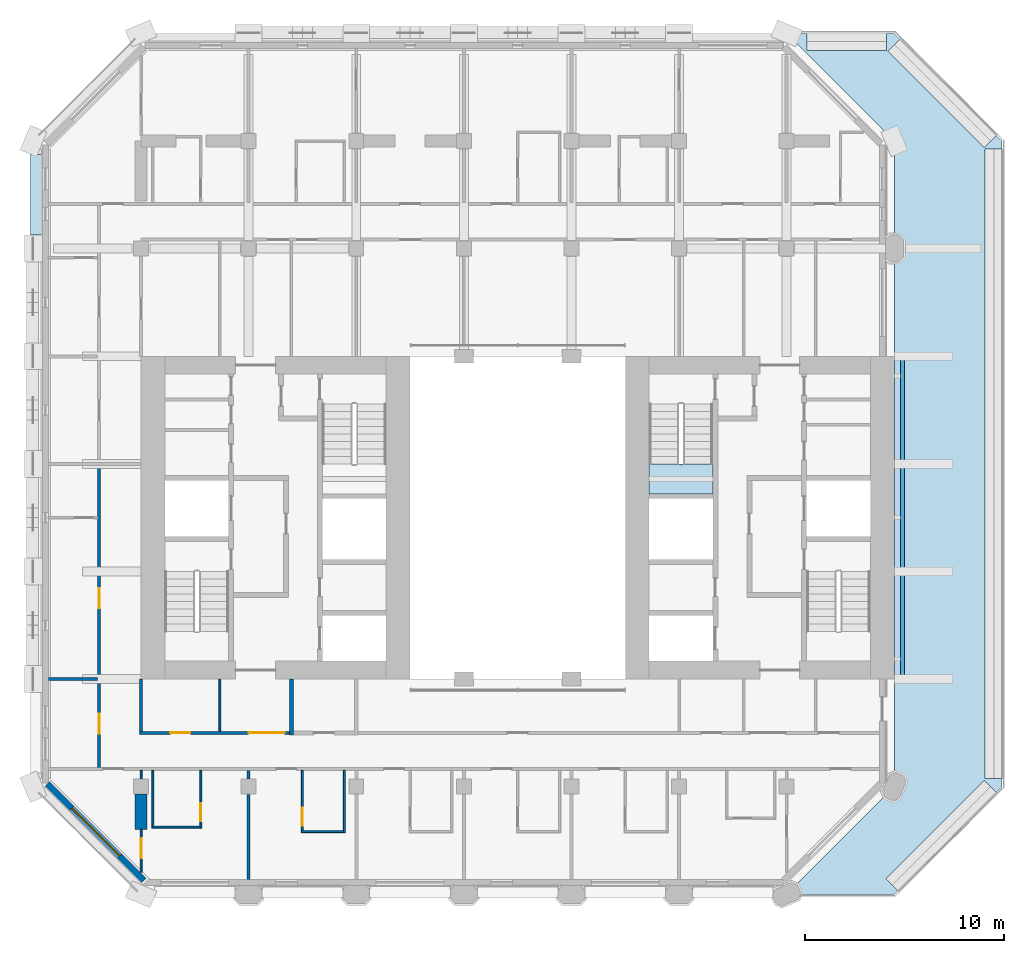
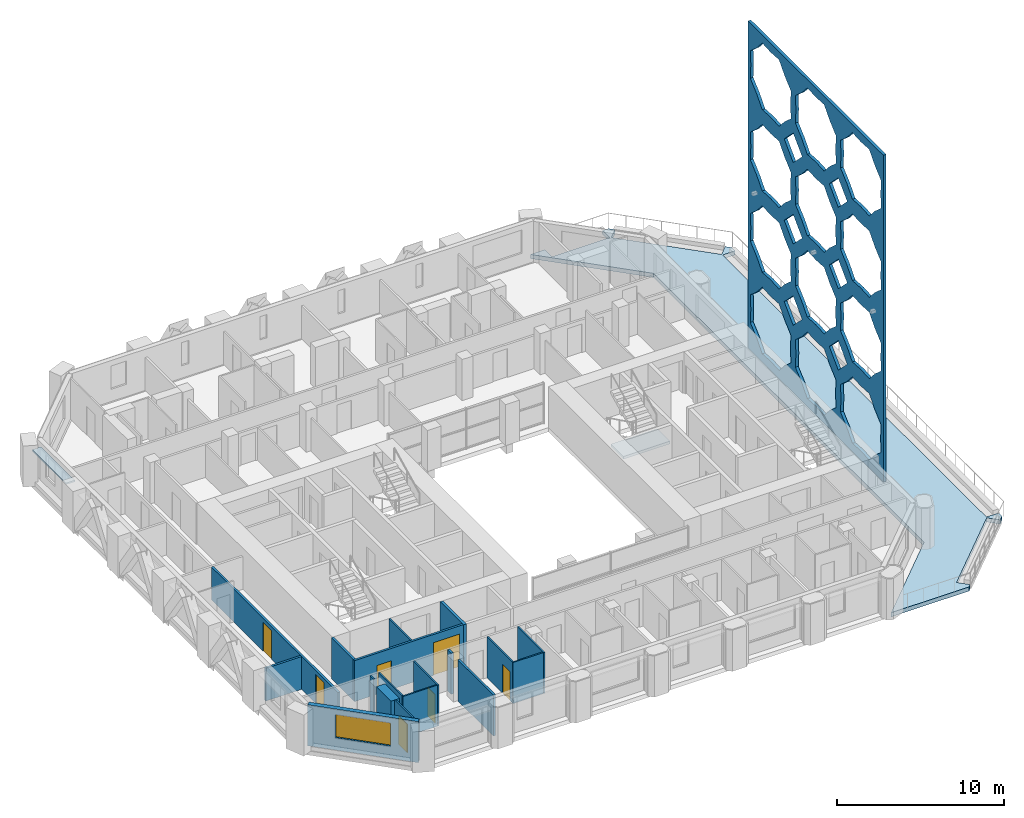
# One storey, part 6 of 15: 18 walls, 7 doors, 2 plates, 2 slabs, 1 window, 8 openings, 1 element without a shape of its own.
"""IFC4 building model written with IfcOpenShell, lengths in metres."""

from ifc_helpers import new_model, si_unit, direction, frame, frame_2d, origin, origin_2d, place, context, subcontext, project, spatial, polyline, rectangle, outline, extrude, material, layer, layer_set, type_object, element, fill, aggregate, save


model = new_model("IFC4")

# Units and contexts
model_context = context("Model", 3, precision=1e-05, world=origin(), true_north=direction((0.0, 1.0)))
body_context = subcontext(model_context, "Body", "Model", "MODEL_VIEW")
ifc_project = project(units=[si_unit("LENGTHUNIT", "METRE"), si_unit("AREAUNIT", "SQUARE_METRE"), si_unit("VOLUMEUNIT", "CUBIC_METRE"), si_unit("PLANEANGLEUNIT", "RADIAN"), si_unit("MASSUNIT", "GRAM", prefix="KILO")], contexts=[model_context])

# Site, building, storey
site_placement = place(None, origin())
site = spatial("IfcSite", under=ifc_project, at=site_placement, CompositionType="ELEMENT")
building_placement = place(site_placement, origin())
building = spatial("IfcBuilding", under=site, at=building_placement, Name="Tabaq Tower and Sports Hall", CompositionType="ELEMENT")
storey_placement = place(building_placement, frame((0.0, 0.0, 207.10009765625)))
storey = spatial("IfcBuildingStorey", under=building, at=storey_placement, Name="L51", CompositionType="ELEMENT", Elevation=207.10009765625)

# Stair, slab
ifc_material_1 = material(Name="Concrete C40/50", Category="concrete")
stair_type = type_object("IfcStairType", Name="Exit stair", PredefinedType="HALF_TURN_STAIR", material=ifc_material_1)
stair_placement = place(storey_placement, origin())
stair = element("IfcStair", 1, at=stair_placement, inside=storey, type_object=stair_type, Name="L51 Exit stair ST4", PredefinedType="HALF_TURN_STAIR")
ifc_material_2 = material(Name="Concrete C40/50", Category="concrete")
ifc_layer_1 = layer(ifc_material_2, 0.199951171875)
ifc_layer_set_1 = layer_set([ifc_layer_1], Name="Exit stair landing")
slab_type_1 = type_object("IfcSlabType", Name="Exit stair landing", PredefinedType="LANDING", material=ifc_layer_set_1)
slab_1_placement = place(storey_placement, frame((0.0, 0.0, 1.449951171875)))
slab_1 = element("IfcSlab", 2, at=slab_1_placement, type_object=slab_type_1, Name="ST4 landing 1", PredefinedType="LANDING", context=body_context, shape_type="SweptSolid", body=[
    extrude(outline(polyline([(30.89990234375, 27.0), (30.89990234375, 25.5), (34.10009765625, 25.5), (34.10009765625, 27.0), (30.89990234375, 27.0)])), origin(), (0.0, 0.0, 1.0), 0.199951171875),
])
aggregate(stair, [slab_1])

# Slab
ifc_material_3 = material(Name="Concrete C40/50", Category="concrete")
ifc_layer_2 = layer(ifc_material_3, 0.300048828125)
ifc_layer_set_2 = layer_set([ifc_layer_2], Name="PT TERRACE SLAB 300 C40/50")
slab_type_2 = type_object("IfcSlabType", Name="PT TERRACE SLAB 300 C40/50", PredefinedType="FLOOR", material=ifc_layer_set_2)
slab_2_placement = place(storey_placement, frame((0.0, 0.0, -0.300048828125)))
element("IfcSlab", 3, at=slab_2_placement, inside=storey, type_object=slab_type_2, Name="Terrace Slab L51", PredefinedType="FLOOR", context=body_context, shape_type="SweptSolid", body=[
    extrude(outline(polyline([(48.60009765625, 42.7978515625), (48.60009765625, 43.199951171875), (48.315673828125, 43.484375), (47.785400390625, 42.9541015625), (47.714599609375, 42.88330078125), (42.88330078125, 47.714599609375), (42.9541015625, 47.785400390625), (43.484375, 48.315673828125), (43.199951171875, 48.60009765625), (42.7978515625, 48.60009765625), (42.7978515625, 47.85009765625), (42.7978515625, 47.75), (38.81201171875, 47.75), (38.81201171875, 47.85009765625), (38.81201171875, 48.60009765625), (37.800048828125, 48.60009765625), (43.199951171875, 43.199951171875), (43.199951171875, 10.800048828125), (37.800048828125, 5.39990234375), (43.199951171875, 5.39990234375), (43.376708984375, 5.57666015625), (42.775634765625, 6.177734375), (47.714599609375, 11.11669921875), (47.785400390625, 11.0458984375), (47.785400390625, 11.0458984375), (48.315673828125, 10.515625), (48.60009765625, 10.800048828125), (48.60009765625, 11.2021484375), (47.85009765625, 11.2021484375), (47.75, 11.2021484375), (47.75, 42.7978515625), (47.85009765625, 42.7978515625), (48.60009765625, 42.7978515625)])), origin(), (0.0, 0.0, 1.0), 0.300048828125),
])

# Plates
ifc_material_4 = material(Name="White precast concrete C60/75 pierced screen", Category="concrete")
ifc_layer_3 = layer(ifc_material_4, 0.199951171875)
ifc_layer_set_3 = layer_set([ifc_layer_3], Name="White precast concrete C60/75 girih screen 200")
plate_type_1 = type_object("IfcPlateType", Name="White precast concrete C60/75 girih screen 200", PredefinedType="USERDEFINED", material=ifc_layer_set_3)
plate_1_placement = place(storey_placement, frame((43.60009765625, 16.199951171875, 1.0), z_axis=(0.0, 0.0, 1.0), x_axis=(0.0, 1.0, 0.0)))
element("IfcPlate", 4, at=plate_1_placement, inside=storey, type_object=plate_type_1, Name="Girih screen H3 E", ObjectType="SCREEN", PredefinedType="USERDEFINED", context=body_context, shape_type="SweptSolid", body=[
    extrude(outline(polyline([(0.0, 0.0), (16.199951171875, 0.0), (16.199951171875, 23.89990234375), (0.0, 23.89990234375), (0.0, 0.0)]), holes=[polyline([(5.134521484375, 4.033447265625), (4.376953125, 4.701904296875), (3.70849609375, 5.45947265625), (2.699951171875, 5.396484375), (1.691650390625, 5.45947265625), (1.02294921875, 4.701904296875), (0.265380859375, 4.033447265625), (0.328369140625, 3.02490234375), (0.265380859375, 2.016357421875), (1.02294921875, 1.347900390625), (1.691650390625, 0.59033203125), (2.699951171875, 0.6533203125), (3.70849609375, 0.59033203125), (4.376953125, 1.347900390625), (5.134521484375, 2.016357421875), (5.07177734375, 3.02490234375), (5.134521484375, 4.033447265625)]), polyline([(5.134521484375, 9.9833984375), (4.376953125, 10.65185546875), (3.70849609375, 11.409423828125), (2.699951171875, 11.3466796875), (1.691650390625, 11.409423828125), (1.02294921875, 10.65185546875), (0.265380859375, 9.9833984375), (0.328369140625, 8.974853515625), (0.265380859375, 7.966552734375), (1.02294921875, 7.2978515625), (1.691650390625, 6.540283203125), (2.699951171875, 6.603271484375), (3.70849609375, 6.540283203125), (4.376953125, 7.2978515625), (5.134521484375, 7.966552734375), (5.07177734375, 8.974853515625), (5.134521484375, 9.9833984375)]), polyline([(5.134521484375, 15.933349609375), (4.376953125, 16.60205078125), (3.70849609375, 17.359619140625), (2.699951171875, 17.296630859375), (1.691650390625, 17.359619140625), (1.02294921875, 16.60205078125), (0.265380859375, 15.933349609375), (0.328369140625, 14.9248046875), (0.265380859375, 13.91650390625), (1.02294921875, 13.247802734375), (1.691650390625, 12.490234375), (2.699951171875, 12.55322265625), (3.70849609375, 12.490234375), (4.376953125, 13.247802734375), (5.134521484375, 13.91650390625), (5.07177734375, 14.9248046875), (5.134521484375, 15.933349609375)]), polyline([(5.134521484375, 21.88330078125), (4.376953125, 22.552001953125), (3.70849609375, 23.3095703125), (2.699951171875, 23.24658203125), (1.691650390625, 23.3095703125), (1.02294921875, 22.552001953125), (0.265380859375, 21.88330078125), (0.328369140625, 20.875), (0.265380859375, 19.866455078125), (1.02294921875, 19.19775390625), (1.691650390625, 18.440185546875), (2.699951171875, 18.503173828125), (3.70849609375, 18.440185546875), (4.376953125, 19.19775390625), (5.134521484375, 19.866455078125), (5.07177734375, 20.875), (5.134521484375, 21.88330078125)]), polyline([(10.53466796875, 4.033447265625), (9.777099609375, 4.701904296875), (9.1083984375, 5.45947265625), (8.10009765625, 5.396484375), (7.091552734375, 5.45947265625), (6.4228515625, 4.701904296875), (5.665283203125, 4.033447265625), (5.728271484375, 3.02490234375), (5.665283203125, 2.016357421875), (6.4228515625, 1.347900390625), (7.091552734375, 0.59033203125), (8.10009765625, 0.6533203125), (9.1083984375, 0.59033203125), (9.777099609375, 1.347900390625), (10.53466796875, 2.016357421875), (10.4716796875, 3.02490234375), (10.53466796875, 4.033447265625)]), polyline([(10.53466796875, 9.9833984375), (9.777099609375, 10.65185546875), (9.1083984375, 11.409423828125), (8.10009765625, 11.3466796875), (7.091552734375, 11.409423828125), (6.4228515625, 10.65185546875), (5.665283203125, 9.9833984375), (5.728271484375, 8.974853515625), (5.665283203125, 7.966552734375), (6.4228515625, 7.2978515625), (7.091552734375, 6.540283203125), (8.10009765625, 6.603271484375), (9.1083984375, 6.540283203125), (9.777099609375, 7.2978515625), (10.53466796875, 7.966552734375), (10.4716796875, 8.974853515625), (10.53466796875, 9.9833984375)]), polyline([(10.53466796875, 15.933349609375), (9.777099609375, 16.60205078125), (9.1083984375, 17.359619140625), (8.10009765625, 17.296630859375), (7.091552734375, 17.359619140625), (6.4228515625, 16.60205078125), (5.665283203125, 15.933349609375), (5.728271484375, 14.9248046875), (5.665283203125, 13.91650390625), (6.4228515625, 13.247802734375), (7.091552734375, 12.490234375), (8.10009765625, 12.55322265625), (9.1083984375, 12.490234375), (9.777099609375, 13.247802734375), (10.53466796875, 13.91650390625), (10.4716796875, 14.9248046875), (10.53466796875, 15.933349609375)]), polyline([(10.53466796875, 21.88330078125), (9.777099609375, 22.552001953125), (9.1083984375, 23.3095703125), (8.10009765625, 23.24658203125), (7.091552734375, 23.3095703125), (6.4228515625, 22.552001953125), (5.665283203125, 21.88330078125), (5.728271484375, 20.875), (5.665283203125, 19.866455078125), (6.4228515625, 19.19775390625), (7.091552734375, 18.440185546875), (8.10009765625, 18.503173828125), (9.1083984375, 18.440185546875), (9.777099609375, 19.19775390625), (10.53466796875, 19.866455078125), (10.4716796875, 20.875), (10.53466796875, 21.88330078125)]), polyline([(15.9345703125, 4.033447265625), (15.177001953125, 4.701904296875), (14.508544921875, 5.45947265625), (13.5, 5.396484375), (12.491455078125, 5.45947265625), (11.822998046875, 4.701904296875), (11.0654296875, 4.033447265625), (11.12841796875, 3.02490234375), (11.0654296875, 2.016357421875), (11.822998046875, 1.347900390625), (12.491455078125, 0.59033203125), (13.5, 0.6533203125), (14.508544921875, 0.59033203125), (15.177001953125, 1.347900390625), (15.9345703125, 2.016357421875), (15.87158203125, 3.02490234375), (15.9345703125, 4.033447265625)]), polyline([(15.9345703125, 9.9833984375), (15.177001953125, 10.65185546875), (14.508544921875, 11.409423828125), (13.5, 11.3466796875), (12.491455078125, 11.409423828125), (11.822998046875, 10.65185546875), (11.0654296875, 9.9833984375), (11.12841796875, 8.974853515625), (11.0654296875, 7.966552734375), (11.822998046875, 7.2978515625), (12.491455078125, 6.540283203125), (13.5, 6.603271484375), (14.508544921875, 6.540283203125), (15.177001953125, 7.2978515625), (15.9345703125, 7.966552734375), (15.87158203125, 8.974853515625), (15.9345703125, 9.9833984375)]), polyline([(15.9345703125, 15.933349609375), (15.177001953125, 16.60205078125), (14.508544921875, 17.359619140625), (13.5, 17.296630859375), (12.491455078125, 17.359619140625), (11.822998046875, 16.60205078125), (11.0654296875, 15.933349609375), (11.12841796875, 14.9248046875), (11.0654296875, 13.91650390625), (11.822998046875, 13.247802734375), (12.491455078125, 12.490234375), (13.5, 12.55322265625), (14.508544921875, 12.490234375), (15.177001953125, 13.247802734375), (15.9345703125, 13.91650390625), (15.87158203125, 14.9248046875), (15.9345703125, 15.933349609375)]), polyline([(15.9345703125, 21.88330078125), (15.177001953125, 22.552001953125), (14.508544921875, 23.3095703125), (13.5, 23.24658203125), (12.491455078125, 23.3095703125), (11.822998046875, 22.552001953125), (11.0654296875, 21.88330078125), (11.12841796875, 20.875), (11.0654296875, 19.866455078125), (11.822998046875, 19.19775390625), (12.491455078125, 18.440185546875), (13.5, 18.503173828125), (14.508544921875, 18.440185546875), (15.177001953125, 19.19775390625), (15.9345703125, 19.866455078125), (15.87158203125, 20.875), (15.9345703125, 21.88330078125)]), polyline([(6.47998046875, 6.0), (5.39990234375, 7.079833984375), (4.320068359375, 6.0), (5.39990234375, 4.919921875), (6.47998046875, 6.0)]), polyline([(6.47998046875, 11.949951171875), (5.39990234375, 13.02978515625), (4.320068359375, 11.949951171875), (5.39990234375, 10.869873046875), (6.47998046875, 11.949951171875)]), polyline([(6.47998046875, 17.89990234375), (5.39990234375, 18.97998046875), (4.320068359375, 17.89990234375), (5.39990234375, 16.81982421875), (6.47998046875, 17.89990234375)]), polyline([(11.8798828125, 6.0), (10.800048828125, 7.079833984375), (9.719970703125, 6.0), (10.800048828125, 4.919921875), (11.8798828125, 6.0)]), polyline([(11.8798828125, 11.949951171875), (10.800048828125, 13.02978515625), (9.719970703125, 11.949951171875), (10.800048828125, 10.869873046875), (11.8798828125, 11.949951171875)]), polyline([(11.8798828125, 17.89990234375), (10.800048828125, 18.97998046875), (9.719970703125, 17.89990234375), (10.800048828125, 16.81982421875), (11.8798828125, 17.89990234375)])]), frame((0.0, 0.10009765625, 0.0), z_axis=(0.0, -1.0, 0.0), x_axis=(1.0, 0.0, 0.0)), (0.0, 0.0, 1.0), 0.199951171875),
])
ifc_material_5 = material(Name="White precast concrete C60/75 blade", Category="concrete")
ifc_layer_4 = layer(ifc_material_5, 0.10009765625)
ifc_layer_set_4 = layer_set([ifc_layer_4], Name="White precast concrete C60/75 sunshade 100")
plate_type_2 = type_object("IfcPlateType", Name="White precast concrete C60/75 sunshade 100", PredefinedType="USERDEFINED", material=ifc_layer_set_4)
plate_2_placement = place(storey_placement, frame((0.14990234375, 40.5, 2.599853515625), z_axis=(0.0, 0.0, 1.0), x_axis=(0.0, -1.0, 0.0)))
element("IfcPlate", 5, at=plate_2_placement, inside=storey, type_object=plate_type_2, Name="Sunshade L51 W", ObjectType="SUNSHADE", PredefinedType="USERDEFINED", context=body_context, shape_type="SweptSolid", body=[
    extrude(rectangle(XDim=4.050048828125, YDim=0.60009765625, at=origin_2d()), origin(), (0.0, 0.0, 1.0), 0.10009765625),
])

# Walls
ifc_material_6 = material(Name="Blockwork", Category="masonry")
ifc_layer_5 = layer(ifc_material_6, 0.199951171875)
ifc_layer_set_5 = layer_set([ifc_layer_5], Name="Fire compartment wall 200 Blockwork")
wall_type_1 = type_object("IfcWallType", Name="Fire compartment wall 200 Blockwork", PredefinedType="PARTITIONING", material=ifc_layer_set_5)
wall_1_placement = place(storey_placement, frame((12.949951171875, 13.39990234375, 0.0), z_axis=(0.0, 0.0, 1.0), x_axis=(0.0, 1.0, 0.0)))
element("IfcWall", 6, at=wall_1_placement, inside=storey, type_object=wall_type_1, Name="Compartment wall L51", PredefinedType="PARTITIONING", context=body_context, shape_type="SweptSolid", body=[
    extrude(rectangle(XDim=2.800048828125, YDim=0.199951171875, at=frame_2d((1.39990234375, 0.0))), origin(), (0.0, 0.0, 1.0), 3.0),
])
ifc_material_7 = material(Name="Gypsum board on steel studs", Category="steel")
ifc_layer_6 = layer(ifc_material_7, 0.10009765625)
ifc_layer_set_6 = layer_set([ifc_layer_6], Name="Partition 100 Gypsum board")
wall_type_2 = type_object("IfcWallType", Name="Partition 100 Gypsum board", PredefinedType="PARTITIONING", material=ifc_layer_set_6)
wall_2_placement = place(storey_placement, frame((15.60009765625, 11.625, 0.0), z_axis=(0.0, 0.0, 1.0), x_axis=(0.0, -1.0, 0.0)))
element("IfcWall", 7, at=wall_2_placement, inside=storey, type_object=wall_type_2, Name="Partition wall L51", PredefinedType="PARTITIONING", context=body_context, shape_type="SweptSolid", body=[
    extrude(rectangle(XDim=3.125, YDim=0.10009765625, at=frame_2d((1.5625, 0.0))), origin(), (0.0, 0.0, 1.0), 3.0),
])
wall_3_placement = place(storey_placement, frame((15.550048828125, 8.550048828125, 0.0), z_axis=(0.0, 0.0, 1.0), x_axis=(-1.0, 0.0, 0.0)))
element("IfcWall", 8, at=wall_3_placement, inside=storey, type_object=wall_type_2, Name="Partition wall L51", PredefinedType="PARTITIONING", context=body_context, shape_type="SweptSolid", body=[
    extrude(rectangle(XDim=2.10009765625, YDim=0.10009765625, at=frame_2d((1.050048828125, 0.0))), origin(), (0.0, 0.0, 1.0), 3.0),
])

# Wall, opening, door
wall_4_placement = place(storey_placement, frame((13.5, 8.60009765625, 0.0), z_axis=(0.0, 0.0, 1.0), x_axis=(0.0, 1.0, 0.0)))
wall_4 = element("IfcWall", 9, at=wall_4_placement, inside=storey, type_object=wall_type_2, Name="Partition wall L51", PredefinedType="PARTITIONING", context=body_context, shape_type="SweptSolid", body=[
    extrude(rectangle(XDim=3.02490234375, YDim=0.10009765625, at=frame_2d((1.512451171875, 0.0))), origin(), (0.0, 0.0, 1.0), 3.0),
])
opening_1_placement = place(wall_4_placement, frame((0.25, 0.0, 0.0)))
opening_1 = element("IfcOpeningElement", 10, at=opening_1_placement, cuts=wall_4, Name="Opening L51-019", PredefinedType="OPENING", context=body_context, shape_type="SweptSolid", body=[
    extrude(rectangle(XDim=0.89990234375, YDim=2.10009765625, at=frame_2d((0.449951171875, 1.050048828125))), frame((0.0, 0.050048828125, 0.0), z_axis=(0.0, -1.0, 0.0), x_axis=(1.0, 0.0, 0.0)), (0.0, 0.0, 1.0), 0.10009765625),
])
ifc_material_8 = material(Name="Timber leaf in steel frame", Category="steel")
door_type_1 = type_object("IfcDoorType", Name="Internal door 900 right hand", OperationType="SINGLE_SWING_RIGHT", PredefinedType="DOOR", material=ifc_material_8)
door_1_placement = place(opening_1_placement, origin())
door_1 = element("IfcDoor", 11, at=door_1_placement, inside=storey, type_object=door_type_1, Name="Internal door L51-019", OperationType="SINGLE_SWING_RIGHT", OverallHeight=2.10009765625, OverallWidth=0.89990234375, PredefinedType="DOOR", context=body_context, shape_type="SweptSolid", body=[
    extrude(rectangle(XDim=0.89990234375, YDim=2.10009765625, at=frame_2d((0.449951171875, 1.050048828125))), frame((0.0, 0.02490234375, 0.0), z_axis=(0.0, -1.0, 0.0), x_axis=(1.0, 0.0, 0.0)), (0.0, 0.0, 1.0), 0.050048828125),
])
fill(opening_1, door_1)

wall_5_placement = place(storey_placement, frame((8.39990234375, 11.625, 0.0), z_axis=(0.0, 0.0, 1.0), x_axis=(0.0, -1.0, 0.0)))
wall_5 = element("IfcWall", 12, at=wall_5_placement, inside=storey, type_object=wall_type_2, Name="Partition wall L51", PredefinedType="PARTITIONING", context=body_context, shape_type="SweptSolid", body=[
    extrude(rectangle(XDim=2.89990234375, YDim=0.10009765625, at=frame_2d((1.449951171875, 0.0))), origin(), (0.0, 0.0, 1.0), 3.0),
])
opening_2_placement = place(wall_5_placement, frame((1.64990234375, 0.0, 0.0)))
opening_2 = element("IfcOpeningElement", 13, at=opening_2_placement, cuts=wall_5, Name="Opening L51-020", PredefinedType="OPENING", context=body_context, shape_type="SweptSolid", body=[
    extrude(rectangle(XDim=0.89990234375, YDim=2.10009765625, at=frame_2d((0.449951171875, 1.050048828125))), frame((0.0, 0.050048828125, 0.0), z_axis=(0.0, -1.0, 0.0), x_axis=(1.0, 0.0, 0.0)), (0.0, 0.0, 1.0), 0.10009765625),
])
door_2_placement = place(opening_2_placement, origin())
door_2 = element("IfcDoor", 14, at=door_2_placement, inside=storey, type_object=door_type_1, Name="Internal door L51-020", OperationType="SINGLE_SWING_RIGHT", OverallHeight=2.10009765625, OverallWidth=0.89990234375, PredefinedType="DOOR", context=body_context, shape_type="SweptSolid", body=[
    extrude(rectangle(XDim=0.89990234375, YDim=2.10009765625, at=frame_2d((0.449951171875, 1.050048828125))), frame((0.0, 0.02490234375, 0.0), z_axis=(0.0, -1.0, 0.0), x_axis=(1.0, 0.0, 0.0)), (0.0, 0.0, 1.0), 0.050048828125),
])
fill(opening_2, door_2)

# Walls
wall_6_placement = place(storey_placement, frame((8.35009765625, 8.77490234375, 0.0), z_axis=(0.0, 0.0, 1.0), x_axis=(-1.0, 0.0, 0.0)))
element("IfcWall", 15, at=wall_6_placement, inside=storey, type_object=wall_type_2, Name="Partition wall L51", PredefinedType="PARTITIONING", context=body_context, shape_type="SweptSolid", body=[
    extrude(rectangle(XDim=2.400146484375, YDim=0.10009765625, at=frame_2d((1.2001953125, 0.0))), origin(), (0.0, 0.0, 1.0), 3.0),
])
wall_7_placement = place(storey_placement, frame((6.0, 8.824951171875, 0.0), z_axis=(0.0, 0.0, 1.0), x_axis=(0.0, 1.0, 0.0)))
element("IfcWall", 16, at=wall_7_placement, inside=storey, type_object=wall_type_2, Name="Partition wall L51", PredefinedType="PARTITIONING", context=body_context, shape_type="SweptSolid", body=[
    extrude(rectangle(XDim=2.800048828125, YDim=0.10009765625, at=frame_2d((1.39990234375, 0.0))), origin(), (0.0, 0.0, 1.0), 3.0),
])
wall_8_placement = place(storey_placement, frame((5.39990234375, 11.625, 0.0), z_axis=(0.0, 0.0, 1.0), x_axis=(0.0, -1.0, 0.0)))
element("IfcWall", 17, at=wall_8_placement, inside=storey, type_object=wall_type_2, Name="Partition wall L51", PredefinedType="PARTITIONING", context=body_context, shape_type="SweptSolid", body=[
    extrude(rectangle(XDim=0.429931640625, YDim=0.10009765625, at=frame_2d((0.21484375, 0.0))), origin(), (0.0, 0.0, 1.0), 3.0),
])

# Wall, opening, door
wall_9_placement = place(storey_placement, frame((5.39990234375, 8.66259765625, 0.0), z_axis=(0.0, 0.0, 1.0), x_axis=(0.0, -1.0, 0.0)))
wall_9 = element("IfcWall", 18, at=wall_9_placement, inside=storey, type_object=wall_type_2, Name="Partition wall L51", PredefinedType="PARTITIONING", context=body_context, shape_type="SweptSolid", body=[
    extrude(rectangle(XDim=2.150390625, YDim=0.10009765625, at=frame_2d((1.0751953125, 0.0))), origin(), (0.0, 0.0, 1.0), 3.0),
])
opening_3_placement = place(wall_9_placement, frame((0.446533203125, 0.0, 0.0)))
opening_3 = element("IfcOpeningElement", 19, at=opening_3_placement, cuts=wall_9, Name="Opening L51-042", PredefinedType="OPENING", context=body_context, shape_type="SweptSolid", body=[
    extrude(rectangle(XDim=1.0, YDim=2.10009765625, at=frame_2d((0.5, 1.050048828125))), frame((0.0, 0.050048828125, 0.0), z_axis=(0.0, -1.0, 0.0), x_axis=(1.0, 0.0, 0.0)), (0.0, 0.0, 1.0), 0.10009765625),
])
ifc_material_9 = material(Name="Timber leaf in steel frame", Category="steel")
door_type_2 = type_object("IfcDoorType", Name="Internal door 1000 right hand", OperationType="SINGLE_SWING_RIGHT", PredefinedType="DOOR", material=ifc_material_9)
door_3_placement = place(opening_3_placement, origin())
door_3 = element("IfcDoor", 20, at=door_3_placement, inside=storey, type_object=door_type_2, Name="Internal door L51-042", OperationType="SINGLE_SWING_RIGHT", OverallHeight=2.10009765625, OverallWidth=1.0, PredefinedType="DOOR", context=body_context, shape_type="SweptSolid", body=[
    extrude(rectangle(XDim=1.0, YDim=2.10009765625, at=frame_2d((0.5, 1.050048828125))), frame((0.0, 0.02490234375, 0.0), z_axis=(0.0, -1.0, 0.0), x_axis=(1.0, 0.0, 0.0)), (0.0, 0.0, 1.0), 0.050048828125),
])
fill(opening_3, door_3)

# Walls
wall_10_placement = place(storey_placement, frame((9.35009765625, 16.199951171875, 0.0), z_axis=(0.0, 0.0, 1.0), x_axis=(0.0, -1.0, 0.0)))
element("IfcWall", 21, at=wall_10_placement, inside=storey, type_object=wall_type_2, Name="Partition wall L51", PredefinedType="PARTITIONING", context=body_context, shape_type="SweptSolid", body=[
    extrude(rectangle(XDim=2.625, YDim=0.10009765625, at=frame_2d((1.3125, 0.0))), origin(), (0.0, 0.0, 1.0), 3.0),
])
ifc_material_10 = material(Name="Concrete C50/60", Category="concrete")
ifc_layer_7 = layer(ifc_material_10, 0.60009765625)
ifc_layer_set_7 = layer_set([ifc_layer_7], Name="RC TRANSFER WALL 600 C50/60")
wall_type_3 = type_object("IfcWallType", Name="RC TRANSFER WALL 600 C50/60", PredefinedType="SHEAR", material=ifc_layer_set_7)
wall_11_placement = place(storey_placement, frame((5.39990234375, 8.66259765625, 0.0), z_axis=(0.0, 0.0, 1.0), x_axis=(0.0, 1.0, 0.0)))
element("IfcWall", 22, at=wall_11_placement, inside=storey, type_object=wall_type_3, Name="Transfer Wall L51 West 2", PredefinedType="SHEAR", context=body_context, shape_type="SweptSolid", body=[
    extrude(rectangle(XDim=1.762451171875, YDim=0.60009765625, at=frame_2d((0.88134765625, 0.0))), origin(), (0.0, 0.0, 1.0), 3.0),
])
ifc_material_11 = material(Name="Blockwork", Category="masonry")
ifc_layer_8 = layer(ifc_material_11, 0.14990234375)
ifc_layer_set_8 = layer_set([ifc_layer_8], Name="Separating wall 150 Blockwork")
wall_type_4 = type_object("IfcWallType", Name="Separating wall 150 Blockwork", PredefinedType="PARTITIONING", material=ifc_layer_set_8)
wall_12_placement = place(storey_placement, frame((3.22509765625, 16.199951171875, 0.0), z_axis=(0.0, 0.0, 1.0), x_axis=(-1.0, 0.0, 0.0)))
element("IfcWall", 23, at=wall_12_placement, inside=storey, type_object=wall_type_4, Name="Separating wall L51", PredefinedType="PARTITIONING", context=body_context, shape_type="SweptSolid", body=[
    extrude(rectangle(XDim=2.47412109375, YDim=0.14990234375, at=frame_2d((1.237060546875, 0.0))), origin(), (0.0, 0.0, 1.0), 2.39990234375),
])
wall_13_placement = place(storey_placement, frame((10.800048828125, 11.625, 0.0), z_axis=(0.0, 0.0, 1.0), x_axis=(0.0, -1.0, 0.0)))
element("IfcWall", 24, at=wall_13_placement, inside=storey, type_object=wall_type_4, Name="Separating wall L51", PredefinedType="PARTITIONING", context=body_context, shape_type="SweptSolid", body=[
    extrude(rectangle(XDim=0.429931640625, YDim=0.14990234375, at=frame_2d((0.21484375, 0.0))), origin(), (0.0, 0.0, 1.0), 3.0),
])
wall_14_placement = place(storey_placement, frame((10.800048828125, 10.405029296875, 0.0), z_axis=(0.0, 0.0, 1.0), x_axis=(0.0, -1.0, 0.0)))
element("IfcWall", 25, at=wall_14_placement, inside=storey, type_object=wall_type_4, Name="Separating wall L51", PredefinedType="PARTITIONING", context=body_context, shape_type="SweptSolid", body=[
    extrude(rectangle(XDim=4.254150390625, YDim=0.14990234375, at=frame_2d((2.126953125, 0.0))), origin(), (0.0, 0.0, 1.0), 3.0),
])

# Wall, openings, doors
wall_15_placement = place(storey_placement, frame((3.300048828125, 11.77490234375, 0.0), z_axis=(0.0, 0.0, 1.0), x_axis=(0.0, 1.0, 0.0)))
wall_15 = element("IfcWall", 26, at=wall_15_placement, inside=storey, type_object=wall_type_4, Name="Separating wall L51", PredefinedType="PARTITIONING", context=body_context, shape_type="SweptSolid", body=[
    extrude(rectangle(XDim=15.150146484375, YDim=0.14990234375, at=frame_2d((7.5751953125, 0.0))), origin(), (0.0, 0.0, 1.0), 2.39990234375),
])
opening_4_placement = place(wall_15_placement, frame((1.675048828125, 0.0, 0.0)))
opening_4 = element("IfcOpeningElement", 27, at=opening_4_placement, cuts=wall_15, Name="Opening L51-014", PredefinedType="OPENING", context=body_context, shape_type="SweptSolid", body=[
    extrude(rectangle(XDim=1.0, YDim=2.10009765625, at=frame_2d((0.5, 1.050048828125))), frame((0.0, 0.074951171875, 0.0), z_axis=(0.0, -1.0, 0.0), x_axis=(1.0, 0.0, 0.0)), (0.0, 0.0, 1.0), 0.14990234375),
])
opening_5_placement = place(wall_15_placement, frame((7.97509765625, 0.0, 0.0)))
opening_5 = element("IfcOpeningElement", 28, at=opening_5_placement, cuts=wall_15, Name="Opening L51-044", PredefinedType="OPENING", context=body_context, shape_type="SweptSolid", body=[
    extrude(rectangle(XDim=1.0, YDim=2.10009765625, at=frame_2d((0.5, 1.050048828125))), frame((0.0, 0.074951171875, 0.0), z_axis=(0.0, -1.0, 0.0), x_axis=(1.0, 0.0, 0.0)), (0.0, 0.0, 1.0), 0.14990234375),
])
ifc_material_12 = material(Name="Steel fire door", Category="steel")
door_type_3 = type_object("IfcDoorType", Name="Entrance door 1000 left hand", OperationType="SINGLE_SWING_LEFT", PredefinedType="DOOR", material=ifc_material_12)
door_4_placement = place(opening_5_placement, origin())
door_4 = element("IfcDoor", 29, at=door_4_placement, inside=storey, type_object=door_type_3, Name="Entrance door L51-044", OperationType="SINGLE_SWING_LEFT", OverallHeight=2.10009765625, OverallWidth=1.0, PredefinedType="DOOR", context=body_context, shape_type="SweptSolid", body=[
    extrude(rectangle(XDim=1.0, YDim=2.10009765625, at=frame_2d((0.5, 1.050048828125))), frame((0.0, 0.02490234375, 0.0), z_axis=(0.0, -1.0, 0.0), x_axis=(1.0, 0.0, 0.0)), (0.0, 0.0, 1.0), 0.050048828125),
])
fill(opening_5, door_4)
ifc_material_13 = material(Name="Timber leaf in steel frame", Category="steel")
door_type_4 = type_object("IfcDoorType", Name="Internal door 1000 left hand", OperationType="SINGLE_SWING_LEFT", PredefinedType="DOOR", material=ifc_material_13)
door_5_placement = place(opening_4_placement, origin())
door_5 = element("IfcDoor", 30, at=door_5_placement, inside=storey, type_object=door_type_4, Name="Internal door L51-014", OperationType="SINGLE_SWING_LEFT", OverallHeight=2.10009765625, OverallWidth=1.0, PredefinedType="DOOR", context=body_context, shape_type="SweptSolid", body=[
    extrude(rectangle(XDim=1.0, YDim=2.10009765625, at=frame_2d((0.5, 1.050048828125))), frame((0.0, 0.02490234375, 0.0), z_axis=(0.0, -1.0, 0.0), x_axis=(1.0, 0.0, 0.0)), (0.0, 0.0, 1.0), 0.050048828125),
])
fill(opening_4, door_5)

wall_16_placement = place(storey_placement, frame((5.324951171875, 13.5, 0.0), z_axis=(0.0, 0.0, 1.0), x_axis=(1.0, 0.0, 0.0)))
wall_16 = element("IfcWall", 31, at=wall_16_placement, inside=storey, type_object=wall_type_4, Name="Separating wall L51", PredefinedType="PARTITIONING", context=body_context, shape_type="SweptSolid", body=[
    extrude(rectangle(XDim=7.525146484375, YDim=0.14990234375, at=frame_2d((3.7626953125, 0.0))), origin(), (0.0, 0.0, 1.0), 3.0),
])
opening_6_placement = place(wall_16_placement, frame((1.550048828125, 0.0, 0.0)))
opening_6 = element("IfcOpeningElement", 32, at=opening_6_placement, cuts=wall_16, Name="Opening L51-025", PredefinedType="OPENING", context=body_context, shape_type="SweptSolid", body=[
    extrude(rectangle(XDim=1.0, YDim=2.10009765625, at=frame_2d((0.5, 1.050048828125))), frame((0.0, 0.074951171875, 0.0), z_axis=(0.0, -1.0, 0.0), x_axis=(1.0, 0.0, 0.0)), (0.0, 0.0, 1.0), 0.14990234375),
])
opening_7_placement = place(wall_16_placement, frame((5.47509765625, 0.0, 0.0)))
opening_7 = element("IfcOpeningElement", 33, at=opening_7_placement, cuts=wall_16, Name="Opening L51-046", PredefinedType="OPENING", context=body_context, shape_type="SweptSolid", body=[
    extrude(rectangle(XDim=1.800048828125, YDim=2.39990234375, at=frame_2d((0.89990234375, 1.199951171875))), frame((0.0, 0.074951171875, 0.0), z_axis=(0.0, -1.0, 0.0), x_axis=(1.0, 0.0, 0.0)), (0.0, 0.0, 1.0), 0.14990234375),
])
door_6_placement = place(opening_6_placement, origin())
door_6 = element("IfcDoor", 34, at=door_6_placement, inside=storey, type_object=door_type_4, Name="Internal door L51-025", OperationType="SINGLE_SWING_LEFT", OverallHeight=2.10009765625, OverallWidth=1.0, PredefinedType="DOOR", context=body_context, shape_type="SweptSolid", body=[
    extrude(rectangle(XDim=1.0, YDim=2.10009765625, at=frame_2d((0.5, 1.050048828125))), frame((0.0, 0.02490234375, 0.0), z_axis=(0.0, -1.0, 0.0), x_axis=(1.0, 0.0, 0.0)), (0.0, 0.0, 1.0), 0.050048828125),
])
fill(opening_6, door_6)
ifc_material_14 = material(Name="Timber leaf in steel frame", Category="steel")
door_type_5 = type_object("IfcDoorType", Name="Internal door 1800", OperationType="DOUBLE_DOOR_SINGLE_SWING", PredefinedType="DOOR", material=ifc_material_14)
door_7_placement = place(opening_7_placement, origin())
door_7 = element("IfcDoor", 35, at=door_7_placement, inside=storey, type_object=door_type_5, Name="Internal door L51-046", OperationType="DOUBLE_DOOR_SINGLE_SWING", OverallHeight=2.39990234375, OverallWidth=1.800048828125, PredefinedType="DOOR", context=body_context, shape_type="SweptSolid", body=[
    extrude(rectangle(XDim=1.800048828125, YDim=2.39990234375, at=frame_2d((0.89990234375, 1.199951171875))), frame((0.0, 0.02490234375, 0.0), z_axis=(0.0, -1.0, 0.0), x_axis=(1.0, 0.0, 0.0)), (0.0, 0.0, 1.0), 0.050048828125),
])
fill(opening_7, door_7)

# Wall
wall_17_placement = place(storey_placement, frame((5.39990234375, 13.574951171875, 0.0), z_axis=(0.0, 0.0, 1.0), x_axis=(0.0, 1.0, 0.0)))
element("IfcWall", 36, at=wall_17_placement, inside=storey, type_object=wall_type_4, Name="Separating wall L51", PredefinedType="PARTITIONING", context=body_context, shape_type="SweptSolid", body=[
    extrude(rectangle(XDim=2.625, YDim=0.14990234375, at=frame_2d((1.3125, 0.0))), origin(), (0.0, 0.0, 1.0), 3.0),
])

# Wall, opening, window
ifc_material_15 = material(Name="White precast concrete C60/75", Category="concrete")
ifc_layer_9 = layer(ifc_material_15, 0.300048828125)
ifc_layer_set_9 = layer_set([ifc_layer_9], Name="White precast concrete C60/75 external wall 300")
wall_type_5 = type_object("IfcWallType", Name="White precast concrete C60/75 external wall 300", PredefinedType="SOLIDWALL", material=ifc_layer_set_9)
wall_18_placement = place(storey_placement, frame((0.698974609375, 10.949462890625, 0.0), z_axis=(0.0, 0.0, 1.0), x_axis=(0.707106781187, -0.707106781187, 0.0)))
wall_18 = element("IfcWall", 37, at=wall_18_placement, inside=storey, type_object=wall_type_5, Name="External Wall L51 SW", PredefinedType="SOLIDWALL", context=body_context, shape_type="SweptSolid", body=[
    extrude(rectangle(XDim=6.85986328125, YDim=0.300048828125, at=frame_2d((3.429931640625, 0.0))), origin(), (0.0, 0.0, 1.0), 3.0),
])
opening_8_placement = place(wall_18_placement, frame((1.729736328125, 0.0, 0.89990234375)))
opening_8 = element("IfcOpeningElement", 38, at=opening_8_placement, cuts=wall_18, Name="Opening W1A", PredefinedType="OPENING", context=body_context, shape_type="SweptSolid", body=[
    extrude(rectangle(XDim=3.39990234375, YDim=1.699951171875, at=frame_2d((1.699951171875, 0.85009765625))), frame((0.0, 0.16015625, 0.0), z_axis=(0.0, -1.0, 0.0), x_axis=(1.0, 0.0, 0.0)), (0.0, 0.0, 1.0), 0.320068359375),
])
ifc_material_16 = material(Name="Aluminium framed clear glazing", Category="aluminium")
window_type = type_object("IfcWindowType", Name="Window W1A", PartitioningType="SINGLE_PANEL", PredefinedType="WINDOW", material=ifc_material_16)
window_placement = place(opening_8_placement, origin())
window = element("IfcWindow", 39, at=window_placement, inside=storey, type_object=window_type, Name="Window W1A L51", OverallHeight=1.699951171875, OverallWidth=3.39990234375, PartitioningType="SINGLE_PANEL", PredefinedType="WINDOW", context=body_context, shape_type="SweptSolid", body=[
    extrude(rectangle(XDim=3.39990234375, YDim=1.699951171875, at=frame_2d((1.699951171875, 0.85009765625))), frame((0.0, 0.030029296875, 0.0), z_axis=(0.0, -1.0, 0.0), x_axis=(1.0, 0.0, 0.0)), (0.0, 0.0, 1.0), 0.06005859375),
])
fill(opening_8, window)

save(model, "model.ifc")
